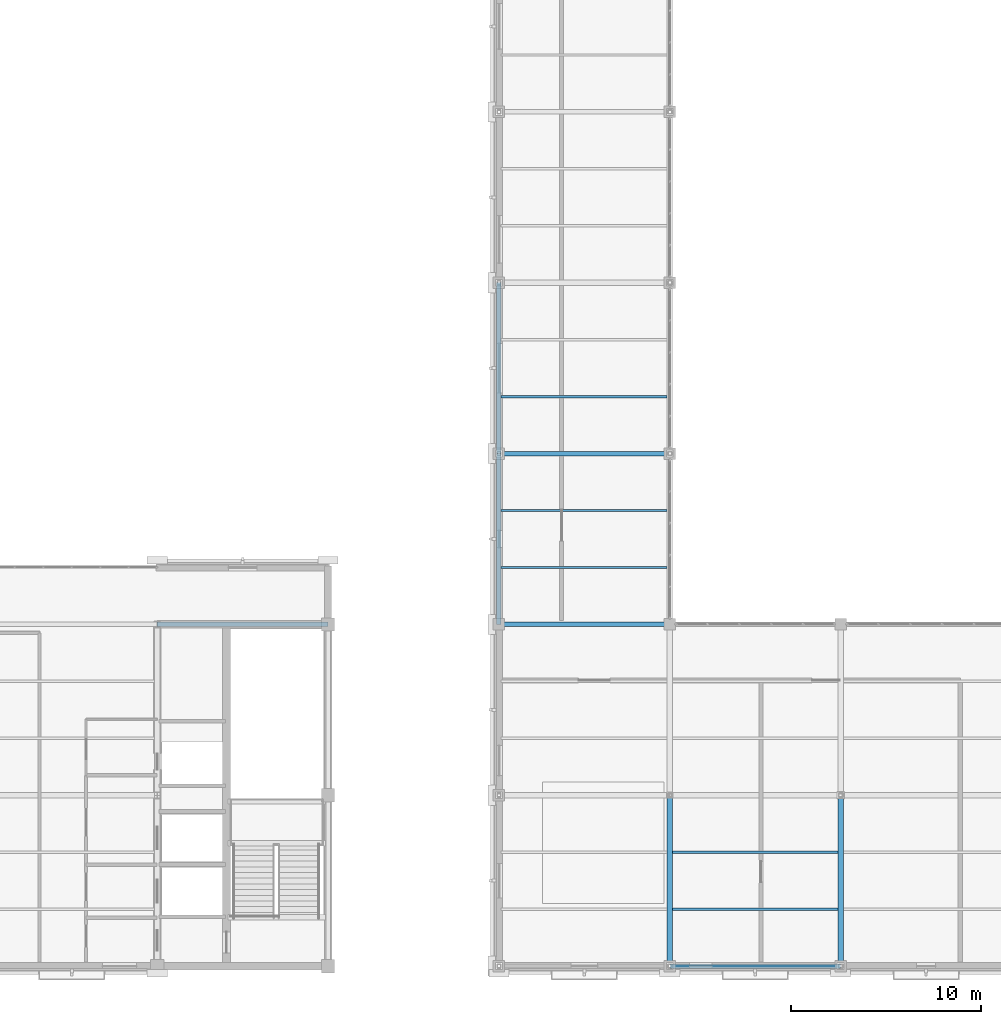
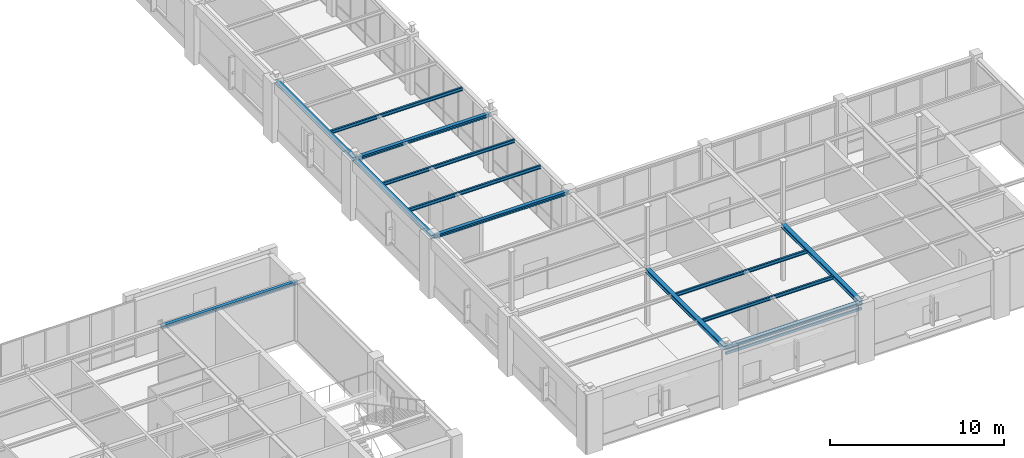
# One storey, part 40 of 97: 13 beams, 1 member.
"""IFC4 building model written with IfcOpenShell, lengths in metres."""

from ifc_helpers import new_model, si_unit, direction, frame, origin, origin_2d, place, context, subcontext, project, spatial, hollow_rectangle, i_section, extrude, material, material_profile, profile_set, type_object, element, save


model = new_model("IFC4")

# Units and contexts
model_context = context("Model", 3, precision=1e-05, world=origin(), true_north=direction((0.0, 1.0)))
body_context = subcontext(model_context, "Body", "Model", "MODEL_VIEW")
ifc_project = project(units=[si_unit("LENGTHUNIT", "METRE"), si_unit("AREAUNIT", "SQUARE_METRE"), si_unit("VOLUMEUNIT", "CUBIC_METRE"), si_unit("PLANEANGLEUNIT", "RADIAN"), si_unit("MASSUNIT", "GRAM", prefix="KILO")], contexts=[model_context])

# Site, building, storey
site_placement = place(None, origin())
site = spatial("IfcSite", under=ifc_project, at=site_placement, CompositionType="ELEMENT")
building_placement = place(site_placement, origin())
building = spatial("IfcBuilding", under=site, at=building_placement, Name="Lykobir Media Centre", CompositionType="ELEMENT")
storey_placement = place(building_placement, frame((0.0, 0.0, 23.39990234375)))
storey = spatial("IfcBuildingStorey", under=building, at=storey_placement, Name="L05", CompositionType="ELEMENT", Elevation=23.39990234375)

# Beams
ifc_material = material(Name="Steel S355", Category="steel")
ifc_material_profile_1 = material_profile(ifc_material, i_section(OverallWidth=0.280029296875, OverallDepth=0.27001953125, WebThickness=0.008056640625, FlangeThickness=0.012939453125, at=origin_2d()), Name="HEA 280")
ifc_profile_set_1 = profile_set([ifc_material_profile_1], Name="Steel S355")
beam_type_1 = type_object("IfcBeamType", Name="BM-HEA280", PredefinedType="BEAM", material=ifc_profile_set_1)
for number, where, z_axis, x_axis, name in (
    (1, (99.0, 0.0, 3.84521484375), (0.0, 1.0, 0.0), (-1.0, 0.0, 0.0), "Beam BM-L05-0990-0000-0990-0090-2724"),
    (2, (108.0, 0.0, 3.84521484375), (0.0, 1.0, 0.0), (-1.0, 0.0, 0.0), "Beam BM-L05-1080-0000-1080-0090-2724"),
):
    element("IfcBeam", number, at=place(storey_placement, frame(where, z_axis=z_axis, x_axis=x_axis)), inside=storey, type_object=beam_type_1, Name=name, PredefinedType="BEAM", context=body_context, shape_type="SweptSolid", body=[
        extrude(i_section(OverallWidth=0.280029296875, OverallDepth=0.27001953125, WebThickness=0.008056640625, FlangeThickness=0.012939453125, at=origin_2d()), origin(), (0.0, 0.0, 1.0), 9.0),
    ])
ifc_material_profile_2 = material_profile(ifc_material, i_section(OverallWidth=0.1201171875, OverallDepth=0.239990234375, WebThickness=0.006103515625, FlangeThickness=0.009765625, at=origin_2d()), Name="IPE 240")
ifc_profile_set_2 = profile_set([ifc_material_profile_2], Name="Steel S355")
beam_type_2 = type_object("IfcBeamType", Name="JS-IPE240", PredefinedType="JOIST", material=ifc_profile_set_2)
for number, where, z_axis, x_axis, name in (
    (3, (90.1201171875, 21.0, 3.860107421875), (1.0, 0.0, 0.0), (0.0, 1.0, 0.0), "Beam BM-L05-0901-0210-0989-0210-2726"),
    (4, (90.1201171875, 24.0, 3.860107421875), (1.0, 0.0, 0.0), (0.0, 1.0, 0.0), "Beam BM-L05-0901-0240-0989-0240-2726"),
    (5, (90.1201171875, 30.0, 3.860107421875), (1.0, 0.0, 0.0), (0.0, 1.0, 0.0), "Beam BM-L05-0901-0300-0989-0300-2726"),
):
    element("IfcBeam", number, at=place(storey_placement, frame(where, z_axis=z_axis, x_axis=x_axis)), inside=storey, type_object=beam_type_2, Name=name, PredefinedType="JOIST", context=body_context, shape_type="SweptSolid", body=[
        extrude(i_section(OverallWidth=0.1201171875, OverallDepth=0.239990234375, WebThickness=0.006103515625, FlangeThickness=0.009765625, at=origin_2d()), origin(), (0.0, 0.0, 1.0), 8.739990234375),
    ])
for number, where, z_axis, x_axis, name in (
    (6, (99.139892578125, 3.0, 3.860107421875), (1.0, 0.0, 0.0), (0.0, 1.0, 0.0), "Beam BM-L05-0991-0030-1079-0030-2726"),
    (7, (99.139892578125, 6.0, 3.860107421875), (1.0, 0.0, 0.0), (0.0, 1.0, 0.0), "Beam BM-L05-0991-0060-1079-0060-2726"),
):
    element("IfcBeam", number, at=place(storey_placement, frame(where, z_axis=z_axis, x_axis=x_axis)), inside=storey, type_object=beam_type_2, Name=name, PredefinedType="JOIST", context=body_context, shape_type="SweptSolid", body=[
        extrude(i_section(OverallWidth=0.1201171875, OverallDepth=0.239990234375, WebThickness=0.006103515625, FlangeThickness=0.009765625, at=origin_2d()), origin(), (0.0, 0.0, 1.0), 8.72021484375),
    ])
ifc_material_profile_3 = material_profile(ifc_material, i_section(OverallWidth=0.239990234375, OverallDepth=0.22998046875, WebThickness=0.007568359375, FlangeThickness=0.011962890625, at=origin_2d()), Name="HEA 240")
ifc_profile_set_3 = profile_set([ifc_material_profile_3], Name="Steel S355")
beam_type_3 = type_object("IfcBeamType", Name="SP-HEA240", PredefinedType="SPANDREL", material=ifc_profile_set_3)
for number, where, z_axis, x_axis, name in (
    (8, (72.0, 18.0, 3.84521484375), (1.0, 0.0, 0.0), (0.0, 1.0, 0.0), "Beam BM-L05-0720-0180-0810-0180-2724"),
    (9, (90.0, 18.0, 3.864990234375), (1.0, 0.0, 0.0), (0.0, 1.0, 0.0), "Beam BM-L05-0900-0180-0990-0180-2726"),
    (10, (90.0, 27.0, 3.864990234375), (1.0, 0.0, 0.0), (0.0, 1.0, 0.0), "Beam BM-L05-0900-0270-0990-0270-2726"),
):
    element("IfcBeam", number, at=place(storey_placement, frame(where, z_axis=z_axis, x_axis=x_axis)), inside=storey, type_object=beam_type_3, Name=name, PredefinedType="SPANDREL", context=body_context, shape_type="SweptSolid", body=[
        extrude(i_section(OverallWidth=0.239990234375, OverallDepth=0.22998046875, WebThickness=0.007568359375, FlangeThickness=0.011962890625, at=origin_2d()), origin(), (0.0, 0.0, 1.0), 9.0),
    ])
ifc_material_profile_4 = material_profile(ifc_material, i_section(OverallWidth=0.239990234375, OverallDepth=0.22998046875, WebThickness=0.007568359375, FlangeThickness=0.011962890625, at=origin_2d()), Name="HEA 240")
ifc_profile_set_4 = profile_set([ifc_material_profile_4], Name="Steel S355")
beam_type_4 = type_object("IfcBeamType", Name="SP-HEA240-E", PredefinedType="SPANDREL", material=ifc_profile_set_4)
for number, where, z_axis, x_axis, name in (
    (11, (99.0, 0.0, 3.864990234375), (1.0, 0.0, 0.0), (0.0, 1.0, 0.0), "Beam BM-L05-0990-0000-1080-0000-2726"),
    (12, (90.0, 18.0, 3.864990234375), (0.0, 1.0, 0.0), (-1.0, 0.0, 0.0), "Beam BM-L05-0900-0180-0900-0270-2726"),
    (13, (90.0, 27.0, 3.864990234375), (0.0, 1.0, 0.0), (-1.0, 0.0, 0.0), "Beam BM-L05-0900-0270-0900-0360-2726"),
):
    element("IfcBeam", number, at=place(storey_placement, frame(where, z_axis=z_axis, x_axis=x_axis)), inside=storey, type_object=beam_type_4, Name=name, PredefinedType="SPANDREL", context=body_context, shape_type="SweptSolid", body=[
        extrude(i_section(OverallWidth=0.239990234375, OverallDepth=0.22998046875, WebThickness=0.007568359375, FlangeThickness=0.011962890625, at=origin_2d()), origin(), (0.0, 0.0, 1.0), 9.0),
    ])

# Member
ifc_material_profile_5 = material_profile(ifc_material, hollow_rectangle(XDim=0.10009765625, YDim=0.179931640625, WallThickness=0.008056640625, at=origin_2d()), Name="RHS 180x100x8")
ifc_profile_set_5 = profile_set([ifc_material_profile_5], Name="Steel S355")
member_type = type_object("IfcMemberType", Name="TC-RHS180-E", PredefinedType="CHORD", material=ifc_profile_set_5)
member_placement = place(storey_placement, frame((99.0, 0.0, 3.4501953125), z_axis=(1.0, 0.0, 0.0), x_axis=(0.0, 1.0, 0.0)))
element("IfcMember", 14, at=member_placement, inside=storey, type_object=member_type, Name="Truss chord MEM2-L05-0990-0000-0268-1080-0000-0514", PredefinedType="CHORD", context=body_context, shape_type="SweptSolid", body=[
    extrude(hollow_rectangle(XDim=0.10009765625, YDim=0.179931640625, WallThickness=0.008056640625, at=origin_2d()), origin(), (0.0, 0.0, 1.0), 9.0),
])

save(model, "model.ifc")
